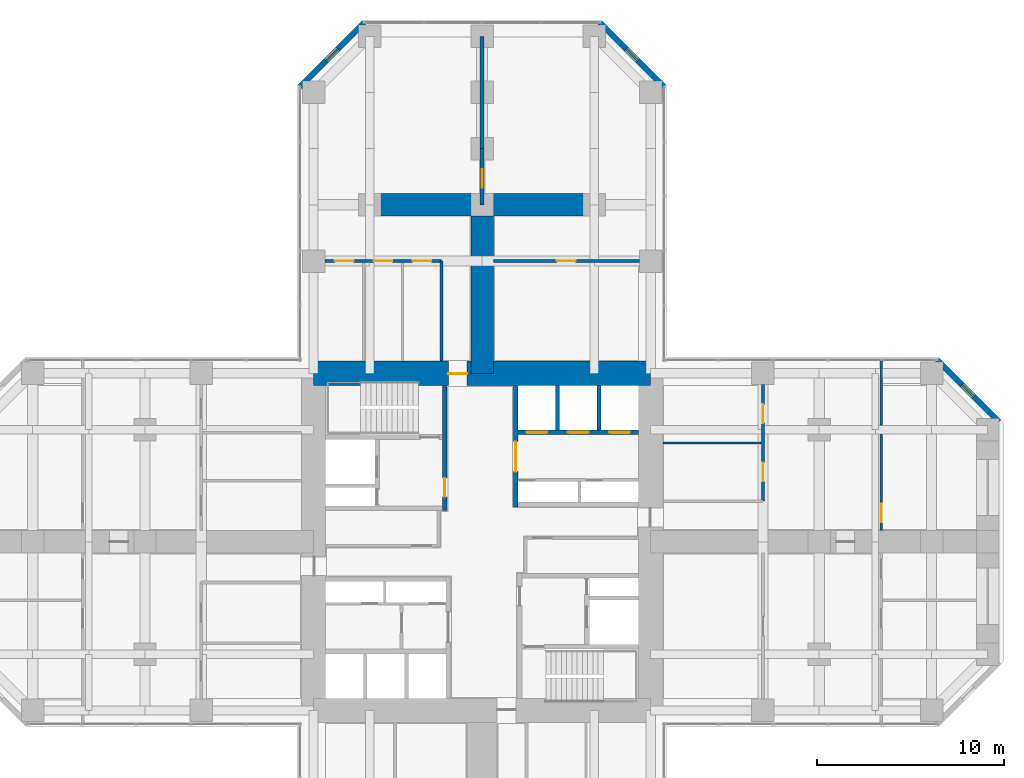
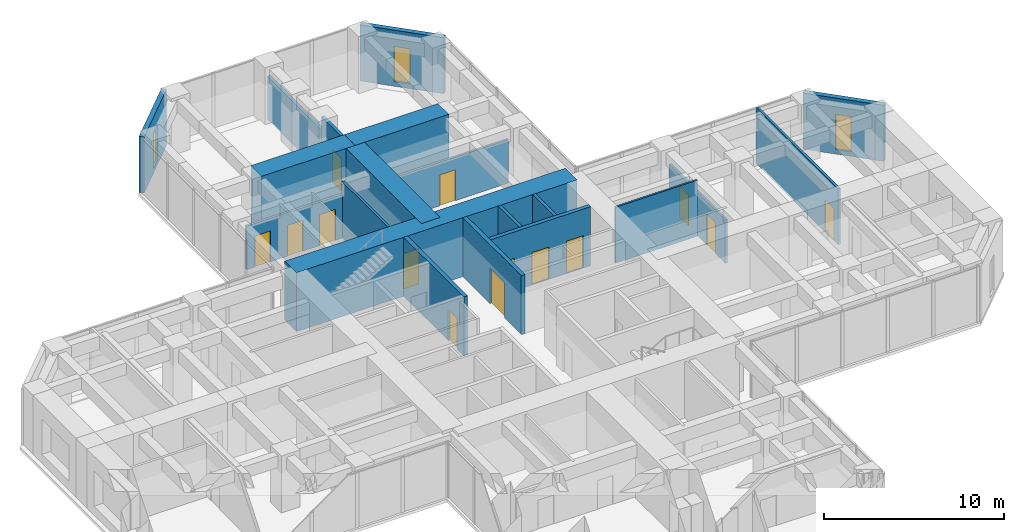
# One storey, part 11 of 13: 20 walls, 14 doors, 3 windows, 17 openings.
"""IFC4 building model written with IfcOpenShell, lengths in metres."""

from ifc_helpers import new_model, si_unit, direction, frame, frame_2d, origin, place, context, subcontext, project, spatial, rectangle, hollow_rectangle, extrude, material, layer, layer_set, constituent, constituent_set, type_object, element, fill, save


model = new_model("IFC4")

# Units and contexts
model_context = context("Model", 3, precision=1e-05, world=origin(), true_north=direction((0.0, 1.0)))
body_context = subcontext(model_context, "Body", "Model", "MODEL_VIEW")
ifc_project = project(units=[si_unit("LENGTHUNIT", "METRE"), si_unit("AREAUNIT", "SQUARE_METRE"), si_unit("VOLUMEUNIT", "CUBIC_METRE"), si_unit("PLANEANGLEUNIT", "RADIAN"), si_unit("MASSUNIT", "GRAM", prefix="KILO")], contexts=[model_context])

# Site, building, storey
site_placement = place(None, origin())
site = spatial("IfcSite", under=ifc_project, at=site_placement, CompositionType="ELEMENT")
building_placement = place(site_placement, origin())
building = spatial("IfcBuilding", under=site, at=building_placement, Name="Torre Cruceta", CompositionType="ELEMENT")
storey_placement = place(building_placement, frame((0.0, 0.0, 47.5)))
storey = spatial("IfcBuildingStorey", under=building, at=storey_placement, Name="L11", CompositionType="ELEMENT", Elevation=47.5)

# Wall, opening, door
ifc_material_1 = material(Name="Concrete G60 (fck 60 MPa)", Category="concrete")
ifc_layer_1 = layer(ifc_material_1, 0.25)
ifc_layer_set_1 = layer_set([ifc_layer_1], Name="Concrete G60 (fck 60 MPa)")
wall_type_1 = type_object("IfcWallType", Name="CORE INNER WALL 250 G60", PredefinedType="SHEAR", material=ifc_layer_set_1)
wall_1_placement = place(storey_placement, frame((1.800048828125, 1.875, 0.0), z_axis=(0.0, 0.0, 1.0), x_axis=(0.0, 1.0, 0.0)))
wall_1 = element("IfcWall", 1, at=wall_1_placement, inside=storey, type_object=wall_type_1, Name="CW4 L11 NE-CU", PredefinedType="SHEAR", context=body_context, shape_type="SweptSolid", body=[
    extrude(rectangle(XDim=6.47509765625, YDim=0.25, at=frame_2d((3.237548828125, 0.0))), origin(), (0.0, 0.0, 1.0), 4.0),
])
opening_1_placement = place(wall_1_placement, frame((1.875, 0.0, 0.0)))
opening_1 = element("IfcOpeningElement", 2, at=opening_1_placement, cuts=wall_1, Name="Opening D8", PredefinedType="OPENING", context=body_context, shape_type="SweptSolid", body=[
    extrude(rectangle(XDim=1.60009765625, YDim=2.39990234375, at=frame_2d((0.800048828125, 1.199951171875))), frame((0.0, 0.135009765625, 0.0), z_axis=(0.0, -1.0, 0.0), x_axis=(1.0, 0.0, 0.0)), (0.0, 0.0, 1.0), 0.27001953125),
])
ifc_material_2 = material(Name="Steel DX51D", Category="steel")
ifc_constituent_1 = constituent(ifc_material_2, Name="Leaf and frame")
ifc_material_3 = material(Name="Polyester powder coating", Category="paint")
ifc_constituent_2 = constituent(ifc_material_3, Name="Finish")
ifc_material_4 = material(Name="Fire-resisting glass", Category="glass")
ifc_constituent_3 = constituent(ifc_material_4, Name="Vision panel")
ifc_constituent_set_1 = constituent_set(constituents=[ifc_constituent_1, ifc_constituent_2, ifc_constituent_3], Name="Steel fire door with vision panels")
door_type_1 = type_object("IfcDoorType", Name="LIFT LOBBY DOUBLE DOOR 1600X2400", OperationType="DOUBLE_DOOR_DOUBLE_SWING", PredefinedType="DOOR", material=ifc_constituent_set_1)
door_1_placement = place(opening_1_placement, origin())
door_1 = element("IfcDoor", 3, at=door_1_placement, inside=storey, type_object=door_type_1, Name="D8 L11 NE-LOBBY", OperationType="DOUBLE_DOOR_DOUBLE_SWING", OverallHeight=2.39990234375, OverallWidth=1.60009765625, PredefinedType="DOOR", context=body_context, shape_type="SweptSolid", body=[
    extrude(rectangle(XDim=1.60009765625, YDim=2.39990234375, at=frame_2d((0.800048828125, 1.199951171875))), frame((0.0, 0.02490234375, 0.0), z_axis=(0.0, -1.0, 0.0), x_axis=(1.0, 0.0, 0.0)), (0.0, 0.0, 1.0), 0.050048828125),
])
fill(opening_1, door_1)

# Wall, openings, doors
wall_2_placement = place(storey_placement, frame((1.925048828125, 5.85009765625, 0.0), z_axis=(0.0, 0.0, 1.0), x_axis=(1.0, 0.0, 0.0)))
wall_2 = element("IfcWall", 4, at=wall_2_placement, inside=storey, type_object=wall_type_1, Name="CW4 L11 NE-LV", PredefinedType="SHEAR", context=body_context, shape_type="SweptSolid", body=[
    extrude(rectangle(XDim=6.425048828125, YDim=0.25, at=frame_2d((3.21240234375, 0.0))), origin(), (0.0, 0.0, 1.0), 4.0),
])
opening_2_placement = place(wall_2_placement, frame((0.4541015625, 0.0, 0.0)))
opening_2 = element("IfcOpeningElement", 5, at=opening_2_placement, cuts=wall_2, Name="Opening LD1", PredefinedType="OPENING", context=body_context, shape_type="SweptSolid", body=[
    extrude(rectangle(XDim=1.10009765625, YDim=2.199951171875, at=frame_2d((0.550048828125, 1.10009765625))), frame((0.0, 0.135009765625, 0.0), z_axis=(0.0, -1.0, 0.0), x_axis=(1.0, 0.0, 0.0)), (0.0, 0.0, 1.0), 0.27001953125),
])
opening_3_placement = place(wall_2_placement, frame((2.66259765625, 0.0, 0.0)))
opening_3 = element("IfcOpeningElement", 6, at=opening_3_placement, cuts=wall_2, Name="Opening LD1", PredefinedType="OPENING", context=body_context, shape_type="SweptSolid", body=[
    extrude(rectangle(XDim=1.10009765625, YDim=2.199951171875, at=frame_2d((0.550048828125, 1.10009765625))), frame((0.0, 0.135009765625, 0.0), z_axis=(0.0, -1.0, 0.0), x_axis=(1.0, 0.0, 0.0)), (0.0, 0.0, 1.0), 0.27001953125),
])
opening_4_placement = place(wall_2_placement, frame((4.870849609375, 0.0, 0.0)))
opening_4 = element("IfcOpeningElement", 7, at=opening_4_placement, cuts=wall_2, Name="Opening LD1", PredefinedType="OPENING", context=body_context, shape_type="SweptSolid", body=[
    extrude(rectangle(XDim=1.10009765625, YDim=2.199951171875, at=frame_2d((0.550048828125, 1.10009765625))), frame((0.0, 0.135009765625, 0.0), z_axis=(0.0, -1.0, 0.0), x_axis=(1.0, 0.0, 0.0)), (0.0, 0.0, 1.0), 0.27001953125),
])
ifc_material_5 = material(Name="Stainless steel 1.4401", Category="steel")
door_type_2 = type_object("IfcDoorType", Name="LIFT LANDING DOOR 1100X2200", OperationType="DOUBLE_DOOR_SLIDING", PredefinedType="DOOR", material=ifc_material_5)
door_2_placement = place(opening_2_placement, origin())
door_2 = element("IfcDoor", 8, at=door_2_placement, inside=storey, type_object=door_type_2, Name="Lift landing door P1", OperationType="DOUBLE_DOOR_SLIDING", OverallHeight=2.199951171875, OverallWidth=1.10009765625, PredefinedType="DOOR", context=body_context, shape_type="SweptSolid", body=[
    extrude(rectangle(XDim=1.10009765625, YDim=2.199951171875, at=frame_2d((0.550048828125, 1.10009765625))), frame((0.0, 0.02490234375, 0.0), z_axis=(0.0, -1.0, 0.0), x_axis=(1.0, 0.0, 0.0)), (0.0, 0.0, 1.0), 0.050048828125),
])
fill(opening_2, door_2)
door_3_placement = place(opening_3_placement, origin())
door_3 = element("IfcDoor", 9, at=door_3_placement, inside=storey, type_object=door_type_2, Name="Lift landing door P2", OperationType="DOUBLE_DOOR_SLIDING", OverallHeight=2.199951171875, OverallWidth=1.10009765625, PredefinedType="DOOR", context=body_context, shape_type="SweptSolid", body=[
    extrude(rectangle(XDim=1.10009765625, YDim=2.199951171875, at=frame_2d((0.550048828125, 1.10009765625))), frame((0.0, 0.02490234375, 0.0), z_axis=(0.0, -1.0, 0.0), x_axis=(1.0, 0.0, 0.0)), (0.0, 0.0, 1.0), 0.050048828125),
])
fill(opening_3, door_3)
door_4_placement = place(opening_4_placement, origin())
door_4 = element("IfcDoor", 10, at=door_4_placement, inside=storey, type_object=door_type_2, Name="Lift landing door P3", OperationType="DOUBLE_DOOR_SLIDING", OverallHeight=2.199951171875, OverallWidth=1.10009765625, PredefinedType="DOOR", context=body_context, shape_type="SweptSolid", body=[
    extrude(rectangle(XDim=1.10009765625, YDim=2.199951171875, at=frame_2d((0.550048828125, 1.10009765625))), frame((0.0, 0.02490234375, 0.0), z_axis=(0.0, -1.0, 0.0), x_axis=(1.0, 0.0, 0.0)), (0.0, 0.0, 1.0), 0.050048828125),
])
fill(opening_4, door_4)

# Wall, opening, door
wall_3_placement = place(storey_placement, frame((-2.0, 1.675048828125, 0.0), z_axis=(0.0, 0.0, 1.0), x_axis=(0.0, 1.0, 0.0)))
wall_3 = element("IfcWall", 11, at=wall_3_placement, inside=storey, type_object=wall_type_1, Name="CW4 L11 NW-CU", PredefinedType="SHEAR", context=body_context, shape_type="SweptSolid", body=[
    extrude(rectangle(XDim=6.675048828125, YDim=0.25, at=frame_2d((3.33740234375, 0.0))), origin(), (0.0, 0.0, 1.0), 4.0),
])
opening_5_placement = place(wall_3_placement, frame((0.72509765625, 0.0, 0.0)))
opening_5 = element("IfcOpeningElement", 12, at=opening_5_placement, cuts=wall_3, Name="Opening D3", PredefinedType="OPENING", context=body_context, shape_type="SweptSolid", body=[
    extrude(rectangle(XDim=1.0, YDim=2.10009765625, at=frame_2d((0.5, 1.050048828125))), frame((0.0, 0.135009765625, 0.0), z_axis=(0.0, -1.0, 0.0), x_axis=(1.0, 0.0, 0.0)), (0.0, 0.0, 1.0), 0.27001953125),
])
ifc_material_6 = material(Name="Steel DX51D", Category="steel")
ifc_constituent_4 = constituent(ifc_material_6, Name="Leaf and frame")
ifc_material_7 = material(Name="Polyester powder coating", Category="paint")
ifc_constituent_5 = constituent(ifc_material_7, Name="Finish")
ifc_constituent_set_2 = constituent_set(constituents=[ifc_constituent_4, ifc_constituent_5], Name="Steel fire door")
door_type_3 = type_object("IfcDoorType", Name="FIRE DOOR 1000X2100", OperationType="SINGLE_SWING_LEFT", PredefinedType="DOOR", material=ifc_constituent_set_2)
door_5_placement = place(opening_5_placement, origin())
door_5 = element("IfcDoor", 13, at=door_5_placement, inside=storey, type_object=door_type_3, Name="D3 L11 NW-LOBBY", OperationType="SINGLE_SWING_LEFT", OverallHeight=2.10009765625, OverallWidth=1.0, PredefinedType="DOOR", context=body_context, shape_type="SweptSolid", body=[
    extrude(rectangle(XDim=1.0, YDim=2.10009765625, at=frame_2d((0.5, 1.050048828125))), frame((0.0, 0.02490234375, 0.0), z_axis=(0.0, -1.0, 0.0), x_axis=(1.0, 0.0, 0.0)), (0.0, 0.0, 1.0), 0.050048828125),
])
fill(opening_5, door_5)

ifc_material_8 = material(Name="Concrete G60 (fck 60 MPa)", Category="concrete")
ifc_layer_2 = layer(ifc_material_8, 1.300048828125)
ifc_layer_set_2 = layer_set([ifc_layer_2], Name="Concrete G60 (fck 60 MPa)")
wall_type_2 = type_object("IfcWallType", Name="CORE WALL 1300 G60", PredefinedType="SHEAR", material=ifc_layer_set_2)
wall_4_placement = place(storey_placement, frame((9.0, 9.0, 0.0), z_axis=(0.0, 0.0, 1.0), x_axis=(-1.0, 0.0, 0.0)))
wall_4 = element("IfcWall", 14, at=wall_4_placement, inside=storey, type_object=wall_type_2, Name="CW1 L11 CW-N", PredefinedType="SHEAR", context=body_context, shape_type="SweptSolid", body=[
    extrude(rectangle(XDim=18.0, YDim=1.300048828125, at=frame_2d((9.0, 0.0))), origin(), (0.0, 0.0, 1.0), 4.0),
])
opening_6_placement = place(wall_4_placement, frame((9.800048828125, 0.0, 0.0)))
opening_6 = element("IfcOpeningElement", 15, at=opening_6_placement, cuts=wall_4, Name="Opening D4", PredefinedType="OPENING", context=body_context, shape_type="SweptSolid", body=[
    extrude(rectangle(XDim=1.0, YDim=2.39990234375, at=frame_2d((0.5, 1.199951171875))), frame((0.0, 0.659912109375, 0.0), z_axis=(0.0, -1.0, 0.0), x_axis=(1.0, 0.0, 0.0)), (0.0, 0.0, 1.0), 1.320068359375),
])
ifc_material_9 = material(Name="Steel DX51D", Category="steel")
ifc_constituent_6 = constituent(ifc_material_9, Name="Leaf and frame")
ifc_material_10 = material(Name="Polyester powder coating", Category="paint")
ifc_constituent_7 = constituent(ifc_material_10, Name="Finish")
ifc_constituent_set_3 = constituent_set(constituents=[ifc_constituent_6, ifc_constituent_7], Name="Steel fire door")
door_type_4 = type_object("IfcDoorType", Name="CORE ARM DOOR 1000X2400", OperationType="SINGLE_SWING_RIGHT", PredefinedType="DOOR", material=ifc_constituent_set_3)
door_6_placement = place(opening_6_placement, frame((1.0, 0.0, 0.0), z_axis=(0.0, 0.0, 1.0), x_axis=(-1.0, 0.0, 0.0)))
door_6 = element("IfcDoor", 16, at=door_6_placement, inside=storey, type_object=door_type_4, Name="D4 L11 CW-N", OperationType="SINGLE_SWING_RIGHT", OverallHeight=2.39990234375, OverallWidth=1.0, PredefinedType="DOOR", context=body_context, shape_type="SweptSolid", body=[
    extrude(rectangle(XDim=1.0, YDim=2.39990234375, at=frame_2d((0.5, 1.199951171875))), frame((0.0, -0.005126953125, 0.0), z_axis=(0.0, -1.0, 0.0), x_axis=(1.0, 0.0, 0.0)), (0.0, 0.0, 1.0), 0.050048828125),
])
fill(opening_6, door_6)

ifc_material_11 = material(Name="Concrete G25 (fck 25 MPa)", Category="concrete")
ifc_layer_3 = layer(ifc_material_11, 0.199951171875)
ifc_layer_set_3 = layer_set([ifc_layer_3], Name="Concrete G25 (fck 25 MPa)")
wall_type_3 = type_object("IfcWallType", Name="CORRIDOR WALL 200", PredefinedType="SOLIDWALL", material=ifc_layer_set_3)
wall_5_placement = place(storey_placement, frame((0.0, 18.0, 0.0), z_axis=(0.0, 0.0, 1.0), x_axis=(0.0, 1.0, 0.0)))
wall_5 = element("IfcWall", 17, at=wall_5_placement, inside=storey, type_object=wall_type_3, Name="PT3 spine line L11 N", PredefinedType="SOLIDWALL", context=body_context, shape_type="SweptSolid", body=[
    extrude(rectangle(XDim=3.0, YDim=0.199951171875, at=frame_2d((1.5, 0.0))), origin(), (0.0, 0.0, 1.0), 3.800048828125),
])
opening_7_placement = place(wall_5_placement, frame((0.89990234375, 0.0, 0.0)))
opening_7 = element("IfcOpeningElement", 18, at=opening_7_placement, cuts=wall_5, Name="Opening D14", PredefinedType="OPENING", context=body_context, shape_type="SweptSolid", body=[
    extrude(rectangle(XDim=1.0, YDim=2.199951171875, at=frame_2d((0.5, 1.10009765625))), frame((0.0, 0.10986328125, 0.0), z_axis=(0.0, -1.0, 0.0), x_axis=(1.0, 0.0, 0.0)), (0.0, 0.0, 1.0), 0.219970703125),
])
ifc_material_12 = material(Name="Steel DX51D", Category="steel")
ifc_constituent_8 = constituent(ifc_material_12, Name="Leaf and frame")
ifc_material_13 = material(Name="Polyester powder coating", Category="paint")
ifc_constituent_9 = constituent(ifc_material_13, Name="Finish")
ifc_material_14 = material(Name="Fire-resisting glass", Category="glass")
ifc_constituent_10 = constituent(ifc_material_14, Name="Vision panel")
ifc_constituent_set_4 = constituent_set(constituents=[ifc_constituent_8, ifc_constituent_9, ifc_constituent_10], Name="Steel fire door with vision panel")
door_type_5 = type_object("IfcDoorType", Name="FIRE DOOR VISION PANEL 1000X2200", OperationType="SINGLE_SWING_RIGHT", PredefinedType="DOOR", material=ifc_constituent_set_4)
door_7_placement = place(opening_7_placement, frame((1.0, 0.0, 0.0), z_axis=(0.0, 0.0, 1.0), x_axis=(-1.0, 0.0, 0.0)))
door_7 = element("IfcDoor", 19, at=door_7_placement, inside=storey, type_object=door_type_5, Name="D14 L11-N-SP1", OperationType="SINGLE_SWING_RIGHT", OverallHeight=2.199951171875, OverallWidth=1.0, PredefinedType="DOOR", context=body_context, shape_type="SweptSolid", body=[
    extrude(rectangle(XDim=1.0, YDim=2.199951171875, at=frame_2d((0.5, 1.10009765625))), frame((0.0, 0.025146484375, 0.0), z_axis=(0.0, -1.0, 0.0), x_axis=(1.0, 0.0, 0.0)), (0.0, 0.0, 1.0), 0.050048828125),
])
fill(opening_7, door_7)

# Walls
wall_6_placement = place(storey_placement, frame((0.0, 21.0, 0.0), z_axis=(0.0, 0.0, 1.0), x_axis=(0.0, 1.0, 0.0)))
element("IfcWall", 20, at=wall_6_placement, inside=storey, type_object=wall_type_3, Name="PT3 spine line L11 N 2", PredefinedType="SOLIDWALL", context=body_context, shape_type="SweptSolid", body=[
    extrude(rectangle(XDim=6.0, YDim=0.199951171875, at=frame_2d((3.0, 0.0))), origin(), (0.0, 0.0, 1.0), 2.89990234375),
])
ifc_material_15 = material(Name="Concrete G60 (fck 60 MPa)", Category="concrete")
ifc_layer_4 = layer(ifc_material_15, 1.199951171875)
ifc_layer_set_4 = layer_set([ifc_layer_4], Name="Concrete G60 (fck 60 MPa)")
wall_type_4 = type_object("IfcWallType", Name="CROSS WALL 1200 G60", PredefinedType="SHEAR", material=ifc_layer_set_4)
for number, where, z_axis, x_axis, name in (
    (21, (0.0, 18.0, 0.0), (0.0, 0.0, 1.0), (-1.0, 0.0, 0.0), "XW1 cross wall L11 N L"),
    (22, (0.0, 18.0, 0.0), (0.0, 0.0, 1.0), (1.0, 0.0, 0.0), "XW1 cross wall L11 N R"),
):
    element("IfcWall", number, at=place(storey_placement, frame(where, z_axis=z_axis, x_axis=x_axis)), inside=storey, type_object=wall_type_4, Name=name, PredefinedType="SHEAR", context=body_context, shape_type="SweptSolid", body=[
        extrude(rectangle(XDim=6.0, YDim=1.199951171875, at=frame_2d((3.0, 0.0))), origin(), (0.0, 0.0, 1.0), 4.0),
    ])

# Wall, opening, window
ifc_material_16 = material(Name="Concrete G30 (fck 30 MPa)", Category="concrete")
ifc_layer_5 = layer(ifc_material_16, 0.300048828125)
ifc_layer_set_5 = layer_set([ifc_layer_5], Name="Concrete G30 (fck 30 MPa)")
wall_type_5 = type_object("IfcWallType", Name="EXPOSED CONCRETE FACADE WALL 300", PredefinedType="SOLIDWALL", material=ifc_layer_set_5)
wall_7_placement = place(storey_placement, frame((27.60009765625, 6.418212890625, 0.0), z_axis=(0.0, 0.0, 1.0), x_axis=(-0.707106781187, 0.707106781187, 0.0)))
wall_7 = element("IfcWall", 23, at=wall_7_placement, inside=storey, type_object=wall_type_5, Name="EW1 facade wall L11 E chamfer 03", PredefinedType="SOLIDWALL", context=body_context, shape_type="SweptSolid", body=[
    extrude(rectangle(XDim=4.66943359375, YDim=0.300048828125, at=frame_2d((2.334716796875, 0.0))), origin(), (0.0, 0.0, 1.0), 3.800048828125),
])
opening_8_placement = place(wall_7_placement, frame((1.884765625, 0.0, 0.300048828125)))
opening_8 = element("IfcOpeningElement", 24, at=opening_8_placement, cuts=wall_7, Name="Opening WN5", PredefinedType="OPENING", context=body_context, shape_type="SweptSolid", body=[
    extrude(rectangle(XDim=0.89990234375, YDim=2.39990234375, at=frame_2d((0.449951171875, 1.199951171875))), frame((0.0, 0.159912109375, 0.0), z_axis=(0.0, -1.0, 0.0), x_axis=(1.0, 0.0, 0.0)), (0.0, 0.0, 1.0), 0.320068359375),
])
ifc_material_17 = material(Name="Aluminium window frame", Category="aluminium")
ifc_constituent_11 = constituent(ifc_material_17, Name="Frame")
ifc_material_18 = material(Name="Laminated insulating glass unit, low-iron clear", Category="glass")
ifc_constituent_12 = constituent(ifc_material_18, Name="Glazing")
ifc_constituent_set_5 = constituent_set(constituents=[ifc_constituent_11, ifc_constituent_12], Name="Aluminium window")
window_type = type_object("IfcWindowType", Name="CHAMFER SLOT WINDOW 900X2400", PartitioningType="SINGLE_PANEL", PredefinedType="WINDOW", material=ifc_constituent_set_5)
window_1_placement = place(opening_8_placement, origin())
window_1 = element("IfcWindow", 25, at=window_1_placement, inside=storey, type_object=window_type, Name="WN5 L11 E 1", OverallHeight=2.39990234375, OverallWidth=0.89990234375, PartitioningType="SINGLE_PANEL", PredefinedType="WINDOW", context=body_context, shape_type="SweptSolid", body=[
    extrude(hollow_rectangle(XDim=0.89990234375, YDim=2.39990234375, WallThickness=0.06005859375, at=frame_2d((0.449951171875, 1.199951171875))), frame((0.0, 0.030029296875, 0.0), z_axis=(0.0, -1.0, 0.0), x_axis=(1.0, 0.0, 0.0)), (0.0, 0.0, 1.0), 0.06005859375),
    extrude(rectangle(XDim=0.77880859375, YDim=2.27880859375, at=frame_2d((0.449951171875, 1.199951171875))), frame((0.0, 0.030029296875, 0.0), z_axis=(0.0, -1.0, 0.0), x_axis=(1.0, 0.0, 0.0)), (0.0, 0.0, 1.0), 0.06005859375),
])
fill(opening_8, window_1)

wall_8_placement = place(storey_placement, frame((9.719970703125, 24.29833984375, 0.0), z_axis=(0.0, 0.0, 1.0), x_axis=(-0.707106781187, 0.707106781187, 0.0)))
wall_8 = element("IfcWall", 26, at=wall_8_placement, inside=storey, type_object=wall_type_5, Name="EW1 facade wall L11 N chamfer 06", PredefinedType="SOLIDWALL", context=body_context, shape_type="SweptSolid", body=[
    extrude(rectangle(XDim=4.8388671875, YDim=0.300048828125, at=frame_2d((2.41943359375, 0.0))), origin(), (0.0, 0.0, 1.0), 3.800048828125),
])
opening_9_placement = place(wall_8_placement, frame((1.969482421875, 0.0, 0.300048828125)))
opening_9 = element("IfcOpeningElement", 27, at=opening_9_placement, cuts=wall_8, Name="Opening WN5", PredefinedType="OPENING", context=body_context, shape_type="SweptSolid", body=[
    extrude(rectangle(XDim=0.89990234375, YDim=2.39990234375, at=frame_2d((0.449951171875, 1.199951171875))), frame((0.0, 0.159912109375, 0.0), z_axis=(0.0, -1.0, 0.0), x_axis=(1.0, 0.0, 0.0)), (0.0, 0.0, 1.0), 0.320068359375),
])
window_2_placement = place(opening_9_placement, origin())
window_2 = element("IfcWindow", 28, at=window_2_placement, inside=storey, type_object=window_type, Name="WN5 L11 N 1", OverallHeight=2.39990234375, OverallWidth=0.89990234375, PartitioningType="SINGLE_PANEL", PredefinedType="WINDOW", context=body_context, shape_type="SweptSolid", body=[
    extrude(hollow_rectangle(XDim=0.89990234375, YDim=2.39990234375, WallThickness=0.06005859375, at=frame_2d((0.449951171875, 1.199951171875))), frame((0.0, 0.030029296875, 0.0), z_axis=(0.0, -1.0, 0.0), x_axis=(1.0, 0.0, 0.0)), (0.0, 0.0, 1.0), 0.06005859375),
    extrude(rectangle(XDim=0.77880859375, YDim=2.27880859375, at=frame_2d((0.449951171875, 1.199951171875))), frame((0.0, 0.030029296875, 0.0), z_axis=(0.0, -1.0, 0.0), x_axis=(1.0, 0.0, 0.0)), (0.0, 0.0, 1.0), 0.06005859375),
])
fill(opening_9, window_2)

wall_9_placement = place(storey_placement, frame((-6.29833984375, 27.719970703125, 0.0), z_axis=(0.0, 0.0, 1.0), x_axis=(-0.707106781187, -0.707106781187, 0.0)))
wall_9 = element("IfcWall", 29, at=wall_9_placement, inside=storey, type_object=wall_type_5, Name="EW1 facade wall L11 N chamfer 08", PredefinedType="SOLIDWALL", context=body_context, shape_type="SweptSolid", body=[
    extrude(rectangle(XDim=4.8388671875, YDim=0.300048828125, at=frame_2d((2.41943359375, 0.0))), origin(), (0.0, 0.0, 1.0), 3.800048828125),
])
opening_10_placement = place(wall_9_placement, frame((1.969482421875, 0.0, 0.300048828125)))
opening_10 = element("IfcOpeningElement", 30, at=opening_10_placement, cuts=wall_9, Name="Opening WN5", PredefinedType="OPENING", context=body_context, shape_type="SweptSolid", body=[
    extrude(rectangle(XDim=0.89990234375, YDim=2.39990234375, at=frame_2d((0.449951171875, 1.199951171875))), frame((0.0, 0.159912109375, 0.0), z_axis=(0.0, -1.0, 0.0), x_axis=(1.0, 0.0, 0.0)), (0.0, 0.0, 1.0), 0.320068359375),
])
window_3_placement = place(opening_10_placement, origin())
window_3 = element("IfcWindow", 31, at=window_3_placement, inside=storey, type_object=window_type, Name="WN5 L11 N 1", OverallHeight=2.39990234375, OverallWidth=0.89990234375, PartitioningType="SINGLE_PANEL", PredefinedType="WINDOW", context=body_context, shape_type="SweptSolid", body=[
    extrude(hollow_rectangle(XDim=0.89990234375, YDim=2.39990234375, WallThickness=0.06005859375, at=frame_2d((0.449951171875, 1.199951171875))), frame((0.0, 0.030029296875, 0.0), z_axis=(0.0, -1.0, 0.0), x_axis=(1.0, 0.0, 0.0)), (0.0, 0.0, 1.0), 0.06005859375),
    extrude(rectangle(XDim=0.77880859375, YDim=2.27880859375, at=frame_2d((0.449951171875, 1.199951171875))), frame((0.0, 0.030029296875, 0.0), z_axis=(0.0, -1.0, 0.0), x_axis=(1.0, 0.0, 0.0)), (0.0, 0.0, 1.0), 0.06005859375),
])
fill(opening_10, window_3)

# Walls
ifc_material_19 = material(Name="Concrete G35 (fck 35 MPa)", Category="concrete")
ifc_layer_6 = layer(ifc_material_19, 0.199951171875)
ifc_layer_set_6 = layer_set([ifc_layer_6], Name="Concrete G35 (fck 35 MPa)")
wall_type_6 = type_object("IfcWallType", Name="LIFT SHAFT WALL 200", PredefinedType="PARTITIONING", material=ifc_layer_set_6)
for number, where, z_axis, x_axis, name in (
    (32, (4.033447265625, 5.97509765625, 0.0), (0.0, 0.0, 1.0), (0.0, 1.0, 0.0), "SW1 L11 NE-LS1"),
    (33, (6.24169921875, 5.97509765625, 0.0), (0.0, 0.0, 1.0), (0.0, 1.0, 0.0), "SW1 L11 NE-LS2"),
):
    element("IfcWall", number, at=place(storey_placement, frame(where, z_axis=z_axis, x_axis=x_axis)), inside=storey, type_object=wall_type_6, Name=name, PredefinedType="PARTITIONING", context=body_context, shape_type="SweptSolid", body=[
        extrude(rectangle(XDim=2.375, YDim=0.199951171875, at=frame_2d((1.1875, 0.0))), origin(), (0.0, 0.0, 1.0), 4.0),
    ])

# Wall, openings, doors
ifc_material_20 = material(Name="Plasterboard on steel studs", Category="steel")
ifc_layer_7 = layer(ifc_material_20, 0.14990234375)
ifc_layer_set_7 = layer_set([ifc_layer_7], Name="Plasterboard on steel studs")
wall_type_7 = type_object("IfcWallType", Name="PARTITION 150", PredefinedType="PARTITIONING", material=ifc_layer_set_7)
wall_10_placement = place(storey_placement, frame((-2.175048828125, 15.0, 0.0), z_axis=(0.0, 0.0, 1.0), x_axis=(-1.0, 0.0, 0.0)))
wall_10 = element("IfcWall", 34, at=wall_10_placement, inside=storey, type_object=wall_type_7, Name="PT1 L11-N-BFL", PredefinedType="PARTITIONING", context=body_context, shape_type="SweptSolid", body=[
    extrude(rectangle(XDim=6.224853515625, YDim=0.14990234375, at=frame_2d((3.1123046875, 0.0))), origin(), (0.0, 0.0, 1.0), 2.949951171875),
])
opening_11_placement = place(wall_10_placement, frame((0.53759765625, 0.0, 0.0)))
opening_11 = element("IfcOpeningElement", 35, at=opening_11_placement, cuts=wall_10, Name="Opening D3", PredefinedType="OPENING", context=body_context, shape_type="SweptSolid", body=[
    extrude(rectangle(XDim=1.0, YDim=2.10009765625, at=frame_2d((0.5, 1.050048828125))), frame((0.0, 0.0849609375, 0.0), z_axis=(0.0, -1.0, 0.0), x_axis=(1.0, 0.0, 0.0)), (0.0, 0.0, 1.0), 0.169921875),
])
opening_12_placement = place(wall_10_placement, frame((2.612548828125, 0.0, 0.0)))
opening_12 = element("IfcOpeningElement", 36, at=opening_12_placement, cuts=wall_10, Name="Opening D3", PredefinedType="OPENING", context=body_context, shape_type="SweptSolid", body=[
    extrude(rectangle(XDim=1.0, YDim=2.10009765625, at=frame_2d((0.5, 1.050048828125))), frame((0.0, 0.0849609375, 0.0), z_axis=(0.0, -1.0, 0.0), x_axis=(1.0, 0.0, 0.0)), (0.0, 0.0, 1.0), 0.169921875),
])
opening_13_placement = place(wall_10_placement, frame((4.6875, 0.0, 0.0)))
opening_13 = element("IfcOpeningElement", 37, at=opening_13_placement, cuts=wall_10, Name="Opening D3", PredefinedType="OPENING", context=body_context, shape_type="SweptSolid", body=[
    extrude(rectangle(XDim=1.0, YDim=2.10009765625, at=frame_2d((0.5, 1.050048828125))), frame((0.0, 0.0849609375, 0.0), z_axis=(0.0, -1.0, 0.0), x_axis=(1.0, 0.0, 0.0)), (0.0, 0.0, 1.0), 0.169921875),
])
door_8_placement = place(opening_11_placement, origin())
door_8 = element("IfcDoor", 38, at=door_8_placement, inside=storey, type_object=door_type_3, Name="D3 L11-N-BFL-D1", OperationType="SINGLE_SWING_LEFT", OverallHeight=2.10009765625, OverallWidth=1.0, PredefinedType="DOOR", context=body_context, shape_type="SweptSolid", body=[
    extrude(rectangle(XDim=1.0, YDim=2.10009765625, at=frame_2d((0.5, 1.050048828125))), frame((0.0, 0.02490234375, 0.0), z_axis=(0.0, -1.0, 0.0), x_axis=(1.0, 0.0, 0.0)), (0.0, 0.0, 1.0), 0.050048828125),
])
fill(opening_11, door_8)
door_9_placement = place(opening_12_placement, origin())
door_9 = element("IfcDoor", 39, at=door_9_placement, inside=storey, type_object=door_type_3, Name="D3 L11-N-BFL-D2", OperationType="SINGLE_SWING_LEFT", OverallHeight=2.10009765625, OverallWidth=1.0, PredefinedType="DOOR", context=body_context, shape_type="SweptSolid", body=[
    extrude(rectangle(XDim=1.0, YDim=2.10009765625, at=frame_2d((0.5, 1.050048828125))), frame((0.0, 0.02490234375, 0.0), z_axis=(0.0, -1.0, 0.0), x_axis=(1.0, 0.0, 0.0)), (0.0, 0.0, 1.0), 0.050048828125),
])
fill(opening_12, door_9)
door_10_placement = place(opening_13_placement, origin())
door_10 = element("IfcDoor", 40, at=door_10_placement, inside=storey, type_object=door_type_3, Name="D3 L11-N-BFL-D3", OperationType="SINGLE_SWING_LEFT", OverallHeight=2.10009765625, OverallWidth=1.0, PredefinedType="DOOR", context=body_context, shape_type="SweptSolid", body=[
    extrude(rectangle(XDim=1.0, YDim=2.10009765625, at=frame_2d((0.5, 1.050048828125))), frame((0.0, 0.02490234375, 0.0), z_axis=(0.0, -1.0, 0.0), x_axis=(1.0, 0.0, 0.0)), (0.0, 0.0, 1.0), 0.050048828125),
])
fill(opening_13, door_10)

# Wall
wall_11_placement = place(storey_placement, frame((-2.175048828125, 9.64990234375, 0.0), z_axis=(0.0, 0.0, 1.0), x_axis=(0.0, 1.0, 0.0)))
element("IfcWall", 41, at=wall_11_placement, inside=storey, type_object=wall_type_7, Name="PT1 L11-N-BSL", PredefinedType="PARTITIONING", context=body_context, shape_type="SweptSolid", body=[
    extrude(rectangle(XDim=5.35009765625, YDim=0.14990234375, at=frame_2d((2.675048828125, 0.0))), origin(), (0.0, 0.0, 1.0), 3.800048828125),
])

# Wall, opening, door
wall_12_placement = place(storey_placement, frame((8.39990234375, 15.0, 0.0), z_axis=(0.0, 0.0, 1.0), x_axis=(-1.0, 0.0, 0.0)))
wall_12 = element("IfcWall", 42, at=wall_12_placement, inside=storey, type_object=wall_type_7, Name="PT1 L11-N-BFR", PredefinedType="PARTITIONING", context=body_context, shape_type="SweptSolid", body=[
    extrude(rectangle(XDim=7.7998046875, YDim=0.14990234375, at=frame_2d((3.89990234375, 0.0))), origin(), (0.0, 0.0, 1.0), 2.949951171875),
])
opening_14_placement = place(wall_12_placement, frame((3.39990234375, 0.0, 0.0)))
opening_14 = element("IfcOpeningElement", 43, at=opening_14_placement, cuts=wall_12, Name="Opening D3", PredefinedType="OPENING", context=body_context, shape_type="SweptSolid", body=[
    extrude(rectangle(XDim=1.0, YDim=2.10009765625, at=frame_2d((0.5, 1.050048828125))), frame((0.0, 0.0849609375, 0.0), z_axis=(0.0, -1.0, 0.0), x_axis=(1.0, 0.0, 0.0)), (0.0, 0.0, 1.0), 0.169921875),
])
door_11_placement = place(opening_14_placement, origin())
door_11 = element("IfcDoor", 44, at=door_11_placement, inside=storey, type_object=door_type_3, Name="D3 L11-N-BFR-D1", OperationType="SINGLE_SWING_RIGHT", OverallHeight=2.10009765625, OverallWidth=1.0, PredefinedType="DOOR", context=body_context, shape_type="SweptSolid", body=[
    extrude(rectangle(XDim=1.0, YDim=2.10009765625, at=frame_2d((0.5, 1.050048828125))), frame((0.0, 0.02490234375, 0.0), z_axis=(0.0, -1.0, 0.0), x_axis=(1.0, 0.0, 0.0)), (0.0, 0.0, 1.0), 0.050048828125),
])
fill(opening_14, door_11)

# Wall, openings, doors
wall_13_placement = place(storey_placement, frame((15.0, 2.175048828125, 0.0), z_axis=(0.0, 0.0, 1.0), x_axis=(0.0, 1.0, 0.0)))
wall_13 = element("IfcWall", 45, at=wall_13_placement, inside=storey, type_object=wall_type_7, Name="PT1 L11-E-BFL", PredefinedType="PARTITIONING", context=body_context, shape_type="SweptSolid", body=[
    extrude(rectangle(XDim=6.224853515625, YDim=0.14990234375, at=frame_2d((3.1123046875, 0.0))), origin(), (0.0, 0.0, 1.0), 2.949951171875),
])
opening_15_placement = place(wall_13_placement, frame((1.05615234375, 0.0, 0.0)))
opening_15 = element("IfcOpeningElement", 46, at=opening_15_placement, cuts=wall_13, Name="Opening D3", PredefinedType="OPENING", context=body_context, shape_type="SweptSolid", body=[
    extrude(rectangle(XDim=1.0, YDim=2.10009765625, at=frame_2d((0.5, 1.050048828125))), frame((0.0, 0.0849609375, 0.0), z_axis=(0.0, -1.0, 0.0), x_axis=(1.0, 0.0, 0.0)), (0.0, 0.0, 1.0), 0.169921875),
])
opening_16_placement = place(wall_13_placement, frame((4.168701171875, 0.0, 0.0)))
opening_16 = element("IfcOpeningElement", 47, at=opening_16_placement, cuts=wall_13, Name="Opening D3", PredefinedType="OPENING", context=body_context, shape_type="SweptSolid", body=[
    extrude(rectangle(XDim=1.0, YDim=2.10009765625, at=frame_2d((0.5, 1.050048828125))), frame((0.0, 0.0849609375, 0.0), z_axis=(0.0, -1.0, 0.0), x_axis=(1.0, 0.0, 0.0)), (0.0, 0.0, 1.0), 0.169921875),
])
door_12_placement = place(opening_15_placement, origin())
door_12 = element("IfcDoor", 48, at=door_12_placement, inside=storey, type_object=door_type_3, Name="D3 L11-E-BFL-D1", OperationType="SINGLE_SWING_LEFT", OverallHeight=2.10009765625, OverallWidth=1.0, PredefinedType="DOOR", context=body_context, shape_type="SweptSolid", body=[
    extrude(rectangle(XDim=1.0, YDim=2.10009765625, at=frame_2d((0.5, 1.050048828125))), frame((0.0, 0.02490234375, 0.0), z_axis=(0.0, -1.0, 0.0), x_axis=(1.0, 0.0, 0.0)), (0.0, 0.0, 1.0), 0.050048828125),
])
fill(opening_15, door_12)
door_13_placement = place(opening_16_placement, origin())
door_13 = element("IfcDoor", 49, at=door_13_placement, inside=storey, type_object=door_type_3, Name="D3 L11-E-BFL-D2", OperationType="SINGLE_SWING_LEFT", OverallHeight=2.10009765625, OverallWidth=1.0, PredefinedType="DOOR", context=body_context, shape_type="SweptSolid", body=[
    extrude(rectangle(XDim=1.0, YDim=2.10009765625, at=frame_2d((0.5, 1.050048828125))), frame((0.0, 0.02490234375, 0.0), z_axis=(0.0, -1.0, 0.0), x_axis=(1.0, 0.0, 0.0)), (0.0, 0.0, 1.0), 0.050048828125),
])
fill(opening_16, door_13)

# Wall, opening, door
wall_14_placement = place(storey_placement, frame((21.320068359375, 0.60009765625, 0.0), z_axis=(0.0, 0.0, 1.0), x_axis=(0.0, 1.0, 0.0)))
wall_14 = element("IfcWall", 50, at=wall_14_placement, inside=storey, type_object=wall_type_7, Name="PT1 L11-E-TWL", PredefinedType="PARTITIONING", context=body_context, shape_type="SweptSolid", body=[
    extrude(rectangle(XDim=9.079833984375, YDim=0.14990234375, at=frame_2d((4.5400390625, 0.0))), origin(), (0.0, 0.0, 1.0), 3.800048828125),
])
opening_17_placement = place(wall_14_placement, frame((0.449951171875, 0.0, 0.0)))
opening_17 = element("IfcOpeningElement", 51, at=opening_17_placement, cuts=wall_14, Name="Opening D14", PredefinedType="OPENING", context=body_context, shape_type="SweptSolid", body=[
    extrude(rectangle(XDim=1.0, YDim=2.199951171875, at=frame_2d((0.5, 1.10009765625))), frame((0.0, 0.0849609375, 0.0), z_axis=(0.0, -1.0, 0.0), x_axis=(1.0, 0.0, 0.0)), (0.0, 0.0, 1.0), 0.169921875),
])
door_14_placement = place(opening_17_placement, frame((1.0, 0.0, 0.0), z_axis=(0.0, 0.0, 1.0), x_axis=(-1.0, 0.0, 0.0)))
door_14 = element("IfcDoor", 52, at=door_14_placement, inside=storey, type_object=door_type_5, Name="D14 L11-E-TWL-D1", OperationType="SINGLE_SWING_RIGHT", OverallHeight=2.199951171875, OverallWidth=1.0, PredefinedType="DOOR", context=body_context, shape_type="SweptSolid", body=[
    extrude(rectangle(XDim=1.0, YDim=2.199951171875, at=frame_2d((0.5, 1.10009765625))), frame((0.0, 0.025146484375, 0.0), z_axis=(0.0, -1.0, 0.0), x_axis=(1.0, 0.0, 0.0)), (0.0, 0.0, 1.0), 0.050048828125),
])
fill(opening_17, door_14)

# Walls
ifc_material_21 = material(Name="Concrete G60 (fck 60 MPa)", Category="concrete")
ifc_layer_8 = layer(ifc_material_21, 1.199951171875)
ifc_layer_set_8 = layer_set([ifc_layer_8], Name="Concrete G60 (fck 60 MPa)")
wall_type_8 = type_object("IfcWallType", Name="SPINE WALL 1200 G60", PredefinedType="SHEAR", material=ifc_layer_set_8)
wall_15_placement = place(storey_placement, frame((0.0, 9.0, 0.0), z_axis=(0.0, 0.0, 1.0), x_axis=(0.0, 1.0, 0.0)))
element("IfcWall", 53, at=wall_15_placement, inside=storey, type_object=wall_type_8, Name="SW3 spine wall L11 N", PredefinedType="SHEAR", context=body_context, shape_type="SweptSolid", body=[
    extrude(rectangle(XDim=9.0, YDim=1.199951171875, at=frame_2d((4.5, 0.0))), origin(), (0.0, 0.0, 1.0), 4.0),
])
ifc_material_22 = material(Name="Plasterboard on steel studs", Category="steel")
ifc_layer_9 = layer(ifc_material_22, 0.1201171875)
ifc_layer_set_9 = layer_set([ifc_layer_9], Name="Plasterboard on steel studs")
wall_type_9 = type_object("IfcWallType", Name="WC PARTITION 120", PredefinedType="PLUMBINGWALL", material=ifc_layer_set_9)
wall_16_placement = place(storey_placement, frame((9.64990234375, 5.28759765625, 0.0), z_axis=(0.0, 0.0, 1.0), x_axis=(1.0, 0.0, 0.0)))
element("IfcWall", 54, at=wall_16_placement, inside=storey, type_object=wall_type_9, Name="PT5 L11-E-BDL1", PredefinedType="PLUMBINGWALL", context=body_context, shape_type="SweptSolid", body=[
    extrude(rectangle(XDim=5.25, YDim=0.1201171875, at=frame_2d((2.625, 0.0))), origin(), (0.0, 0.0, 1.0), 3.800048828125),
])

save(model, "model.ifc")
